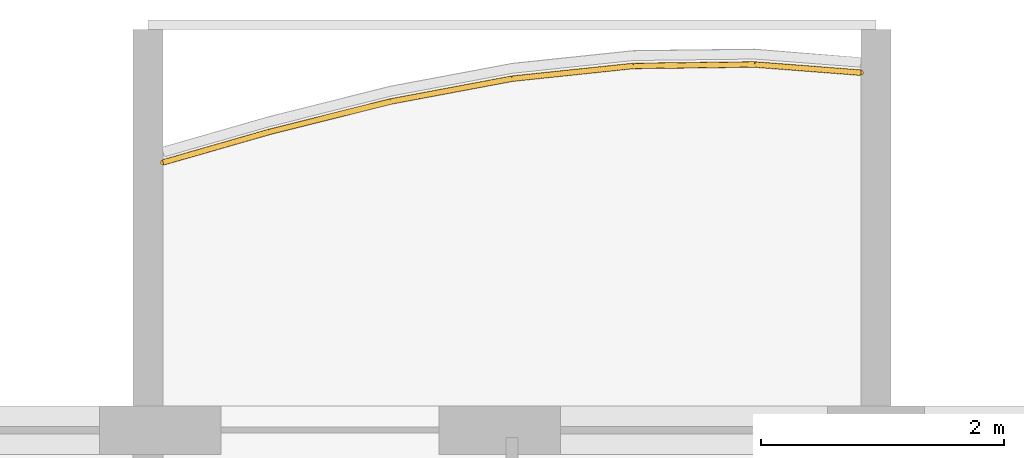
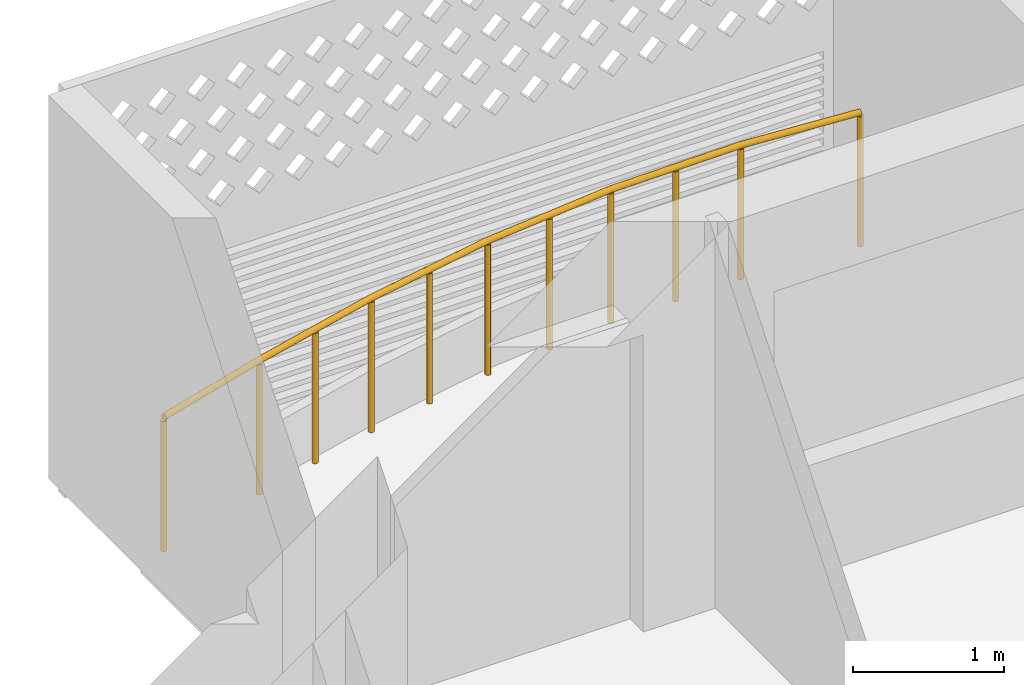
# One storey, part 17 of 26: 1 railing.
"""IFC4 building model written with IfcOpenShell, lengths in metres."""

import ifcopenshell
import ifcopenshell.guid

model = None  # the IFC model being written
_history = None  # IfcOwnerHistory: only IFC2X3 demands one
_inside = {}  # id of a spatial element -> (the spatial element, [elements in it])
_under = {}  # id of a project, library or spatial element -> (it, [spatial elements below it])
_declared = {}  # id of a project -> (the project, [libraries it declares])
_typed = {}  # id of a type object -> (the type object, [elements of that type])
_made_of = {}  # id of a material, layer set ... -> (it, [elements and type objects made of it])


def new_model(schema):
    """Start an empty IFC model of exactly this schema.

    Asked for "IFC4X3", IfcOpenShell would pick the latest addendum, in which some entities
    have other attributes; the version numbers below select the first issue.
    IFC2X3 requires an IfcOwnerHistory on every rooted entity: one is made here for all.
    """
    global model, _history
    if schema == "IFC4X3":
        model = ifcopenshell.file(schema_version=(4, 3, 0, 0))
    else:
        model = ifcopenshell.file(schema=schema)
    _inside.clear()
    _under.clear()
    _declared.clear()
    _typed.clear()
    _made_of.clear()
    _history = None
    if model.schema == "IFC2X3":
        org = make("IfcOrganization", Name="unknown")
        user = make(
            "IfcPersonAndOrganization",
            ThePerson=make("IfcPerson", FamilyName="unknown"),
            TheOrganization=org,
        )
        app = make(
            "IfcApplication",
            ApplicationDeveloper=org,
            Version="unknown",
            ApplicationFullName="unknown",
            ApplicationIdentifier="unknown",
        )
        _history = make(
            "IfcOwnerHistory",
            OwningUser=user,
            OwningApplication=app,
            ChangeAction="ADDED",
            CreationDate=0,
        )
    return model


def make(cls, **values):
    """One entity of the class cls with the attributes given. An attribute that is None is left unset."""
    return model.create_entity(
        cls, **{name: value for name, value in values.items() if value is not None}
    )


def rooted(cls, **values):
    """An entity with a GlobalId (a new one), such as an element, a storey or a relation."""
    return make(cls, GlobalId=ifcopenshell.guid.new(), OwnerHistory=_history, **values)


def si_unit(unit_type, name, prefix=None):
    """IfcSIUnit, for example si_unit("LENGTHUNIT", "METRE", prefix="MILLI")."""
    return make("IfcSIUnit", UnitType=unit_type, Prefix=prefix, Name=name)


def assignment(units):
    """IfcUnitAssignment: the units of a project."""
    return None if units is None else make("IfcUnitAssignment", Units=units)


def point(xyz):
    """IfcCartesianPoint."""
    return None if xyz is None else make("IfcCartesianPoint", Coordinates=xyz)


def direction(xyz):
    """IfcDirection."""
    return None if xyz is None else make("IfcDirection", DirectionRatios=xyz)


def frame(location, z_axis=None, x_axis=None):
    """IfcAxis2Placement3D, a coordinate frame: its origin and axes. An axis left out is left unset."""
    return make(
        "IfcAxis2Placement3D",
        Location=point(location),
        Axis=direction(z_axis),
        RefDirection=direction(x_axis),
    )


def frame_2d(location, x_axis=None):
    """IfcAxis2Placement2D, a coordinate frame in the plane: its origin and x axis."""
    return make(
        "IfcAxis2Placement2D", Location=point(location), RefDirection=direction(x_axis)
    )


def origin():
    """The frame at (0, 0, 0) with its axes left unset."""
    return frame((0.0, 0.0, 0.0))


def origin_2d():
    """The frame at (0, 0) in the plane with its x axis left unset."""
    return frame_2d((0.0, 0.0))


def place(relative_to, where):
    """IfcLocalPlacement: puts the frame where relative to a parent placement (None: the world)."""
    return make(
        "IfcLocalPlacement", PlacementRelTo=relative_to, RelativePlacement=where
    )


def context(
    kind, dimensions, precision=None, world=None, true_north=None, identifier=None
):
    """IfcGeometricRepresentationContext, for example the 3D "Model" context."""
    return make(
        "IfcGeometricRepresentationContext",
        ContextIdentifier=identifier,
        ContextType=kind,
        CoordinateSpaceDimension=dimensions,
        Precision=precision,
        WorldCoordinateSystem=world,
        TrueNorth=true_north,
    )


def subcontext(parent, identifier, kind, view, scale=None):
    """IfcGeometricRepresentationSubContext, for example "Body" below "Model"."""
    return make(
        "IfcGeometricRepresentationSubContext",
        ContextIdentifier=identifier,
        ContextType=kind,
        ParentContext=parent,
        TargetScale=scale,
        TargetView=view,
    )


def project(units=None, contexts=None):
    """IfcProject with its units and contexts."""
    return rooted(
        "IfcProject",
        Name="project",
        RepresentationContexts=contexts,
        UnitsInContext=assignment(units),
    )


def spatial(cls, under=None, at=None, **own):
    """A site, building, storey or space (cls), placed at a placement, below another one or the project."""
    s = rooted(cls, ObjectPlacement=at, **own)
    if under is not None:
        _under.setdefault(under.id(), (under, []))[1].append(s)
    return s


def profile(cls, at=None, kind="AREA", **sizes):
    """A parametric profile (cls). Its sizes go by their IFC names, for example OverallWidth=200.0."""
    return make(cls, ProfileType=kind, Position=at, **sizes)


def circle(**sizes):
    """IfcCircleProfileDef."""
    return profile("IfcCircleProfileDef", **sizes)


def extrude(swept, where, along, depth):
    """IfcExtrudedAreaSolid: the profile swept, set in the frame where, extruded along a direction by depth."""
    return make(
        "IfcExtrudedAreaSolid",
        SweptArea=swept,
        Position=where,
        ExtrudedDirection=direction(along),
        Depth=depth,
    )


def shape(context_of_items, identifier, shape_type, items):
    """IfcShapeRepresentation: the items that make up one representation, for example the "Body"."""
    return make(
        "IfcShapeRepresentation",
        ContextOfItems=context_of_items,
        RepresentationIdentifier=identifier,
        RepresentationType=shape_type,
        Items=items,
    )


def material(Name=None, Category=None):
    """IfcMaterial."""
    return make("IfcMaterial", Name=Name, Category=Category)


def made_of(thing, what):
    """Note that an element or type object is made of a material, layer set ...; save() writes the relation."""
    if what is not None:
        _made_of.setdefault(what.id(), (what, []))[1].append(thing)
    return thing


def type_object(cls, material=None, **own):
    """A type object (cls), such as IfcWallType, which elements share."""
    return made_of(rooted(cls, **own), material)


def element(
    cls,
    number,
    at=None,
    inside=None,
    cuts=None,
    type_object=None,
    material=None,
    context=None,
    identifier="Body",
    shape_type=None,
    held_by="IfcProductDefinitionShape",
    body=None,
    shapes=None,
    **own,
):
    """One element of the class cls, such as IfcWall. Its Tag is "e" and its number.

    at: its placement. inside: the storey or other place that contains it. cuts: it is an
    opening in that element (IfcRelVoidsElement). A single representation is given by context,
    identifier, shape_type and body (its items); several are given by shapes. held_by: the class
    of the entity that holds the representations. save() writes the other relations.
    """
    e = rooted(cls, Tag="e%d" % number, ObjectPlacement=at, **own)
    if body is not None:
        shapes = [shape(context, identifier, shape_type, body)]
    if shapes is not None:
        e.Representation = make(held_by, Representations=shapes)
    if inside is not None:
        _inside.setdefault(inside.id(), (inside, []))[1].append(e)
    if cuts is not None:
        rooted(
            "IfcRelVoidsElement", RelatingBuildingElement=cuts, RelatedOpeningElement=e
        )
    if type_object is not None:
        _typed.setdefault(type_object.id(), (type_object, []))[1].append(e)
    return made_of(e, material)


def aggregate(whole, parts):
    """IfcRelAggregates: a whole, such as a stair, and the parts it consists of."""
    return rooted("IfcRelAggregates", RelatingObject=whole, RelatedObjects=parts)


def save(model, path):
    """Write the relations noted so far, then the file.

    IfcRelAggregates (storeys below a building ...), IfcRelContainedInSpatialStructure (elements
    in a storey), IfcRelDefinesByType, IfcRelAssociatesMaterial and IfcRelDeclares: one each for
    every whole, place, type object, material and project.
    """
    for whole, parts in _under.values():
        aggregate(whole, parts)
    for where, things in _inside.values():
        rooted(
            "IfcRelContainedInSpatialStructure",
            RelatedElements=things,
            RelatingStructure=where,
        )
    for kind, things in _typed.values():
        rooted("IfcRelDefinesByType", RelatedObjects=things, RelatingType=kind)
    for what, things in _made_of.values():
        rooted("IfcRelAssociatesMaterial", RelatedObjects=things, RelatingMaterial=what)
    for by, libraries in _declared.values():
        rooted("IfcRelDeclares", RelatingContext=by, RelatedDefinitions=libraries)
    model.write(path)


model = new_model("IFC4")

# Units and contexts
model_context = context("Model", 3, precision=1e-05, world=origin(), true_north=direction((0.0, 1.0)))
body_context = subcontext(model_context, "Body", "Model", "MODEL_VIEW")
ifc_project = project(units=[si_unit("LENGTHUNIT", "METRE"), si_unit("AREAUNIT", "SQUARE_METRE"), si_unit("VOLUMEUNIT", "CUBIC_METRE"), si_unit("PLANEANGLEUNIT", "RADIAN"), si_unit("MASSUNIT", "GRAM", prefix="KILO")], contexts=[model_context])

# Site, building, storey
site_placement = place(None, origin())
site = spatial("IfcSite", under=ifc_project, at=site_placement, CompositionType="ELEMENT")
building_placement = place(site_placement, origin())
building = spatial("IfcBuilding", under=site, at=building_placement, Name="Poui Terraces", CompositionType="ELEMENT")
storey_placement = place(building_placement, frame((0.0, 0.0, 241.199951171875)))
storey = spatial("IfcBuildingStorey", under=building, at=storey_placement, Name="L67", CompositionType="ELEMENT", Elevation=241.199951171875)

# Railing
ifc_material = material(Name="Painted steel fretwork", Category="steel")
railing_type = type_object("IfcRailingType", Name="BALCONY GUARD 1100", PredefinedType="GUARDRAIL", material=ifc_material)
railing_placement = place(storey_placement, frame((36.125, 43.406494140625, 0.0)))
element("IfcRailing", 1, at=railing_placement, inside=storey, type_object=railing_type, Name="BALCONY GUARD", PredefinedType="GUARDRAIL", context=body_context, shape_type="SweptSolid", body=[
    extrude(circle(Radius=0.02392578125, at=origin_2d()), frame((0.0, 0.0, 1.076171875), z_axis=(0.961168944086, 0.275960614806, 0.0), x_axis=(-0.275960614806, 0.961168944086, 0.0)), (0.0, 0.0, 1.0), 0.910400390625),
    extrude(circle(Radius=0.02392578125, at=origin_2d()), frame((0.875, 0.251220703125, 1.076171875), z_axis=(0.969975109493, 0.243204208362, 0.0), x_axis=(-0.243204208362, 0.969975109493, 0.0)), (0.0, 0.0, 1.0), 1.031005859375),
    extrude(circle(Radius=0.02392578125, at=origin_2d()), frame((1.875, 0.501953125, 1.076171875), z_axis=(0.982828697247, 0.184520329146, 0.0), x_axis=(-0.184520329146, 0.982828697247, 0.0)), (0.0, 0.0, 1.0), 1.017578125),
    extrude(circle(Radius=0.02392578125, at=origin_2d()), frame((2.875, 0.689697265625, 1.076171875), z_axis=(0.994509443434, 0.104646867705, 0.0), x_axis=(-0.104646867705, 0.994509443434, 0.0)), (0.0, 0.0, 1.0), 1.005615234375),
    extrude(circle(Radius=0.02392578125, at=origin_2d()), frame((3.875, 0.794921875, 1.076171875), z_axis=(0.999928452303, 0.011962034708, 0.0), x_axis=(-0.011962034708, 0.999928452303, 0.0)), (0.0, 0.0, 1.0), 1.0),
    extrude(circle(Radius=0.02392578125, at=origin_2d()), frame((4.875, 0.806884765625, 1.076171875), z_axis=(0.997047936125, -0.076781593295, 0.0), x_axis=(0.076781593295, 0.997047936125, 0.0)), (0.0, 0.0, 1.0), 0.877685546875),
    extrude(circle(Radius=0.02099609375, at=origin_2d()), origin(), (0.0, 0.0, 1.0), 1.052001953125),
    extrude(circle(Radius=0.02099609375, at=origin_2d()), frame((0.875, 0.251220703125, 0.0)), (0.0, 0.0, 1.0), 1.052001953125),
    extrude(circle(Radius=0.02099609375, at=origin_2d()), frame((1.375, 0.37646484375, 0.0)), (0.0, 0.0, 1.0), 1.052001953125),
    extrude(circle(Radius=0.02099609375, at=origin_2d()), frame((1.875, 0.501953125, 0.0)), (0.0, 0.0, 1.0), 1.052001953125),
    extrude(circle(Radius=0.02099609375, at=origin_2d()), frame((2.375, 0.595703125, 0.0)), (0.0, 0.0, 1.0), 1.052001953125),
    extrude(circle(Radius=0.02099609375, at=origin_2d()), frame((2.875, 0.689697265625, 0.0)), (0.0, 0.0, 1.0), 1.052001953125),
    extrude(circle(Radius=0.02099609375, at=origin_2d()), frame((3.375, 0.7421875, 0.0)), (0.0, 0.0, 1.0), 1.052001953125),
    extrude(circle(Radius=0.02099609375, at=origin_2d()), frame((3.875, 0.794921875, 0.0)), (0.0, 0.0, 1.0), 1.052001953125),
    extrude(circle(Radius=0.02099609375, at=origin_2d()), frame((4.375, 0.80078125, 0.0)), (0.0, 0.0, 1.0), 1.052001953125),
    extrude(circle(Radius=0.02099609375, at=origin_2d()), frame((4.875, 0.806884765625, 0.0)), (0.0, 0.0, 1.0), 1.052001953125),
    extrude(circle(Radius=0.02099609375, at=origin_2d()), frame((5.75, 0.739501953125, 0.0)), (0.0, 0.0, 1.0), 1.052001953125),
])

save(model, "model.ifc")
